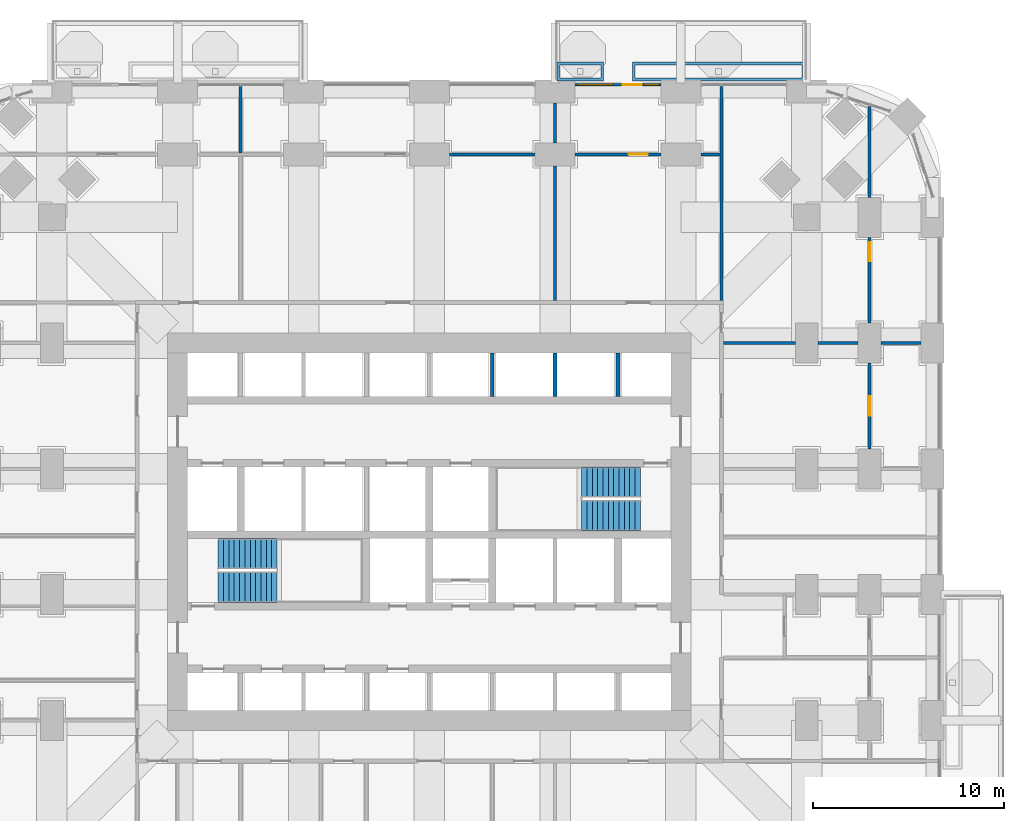
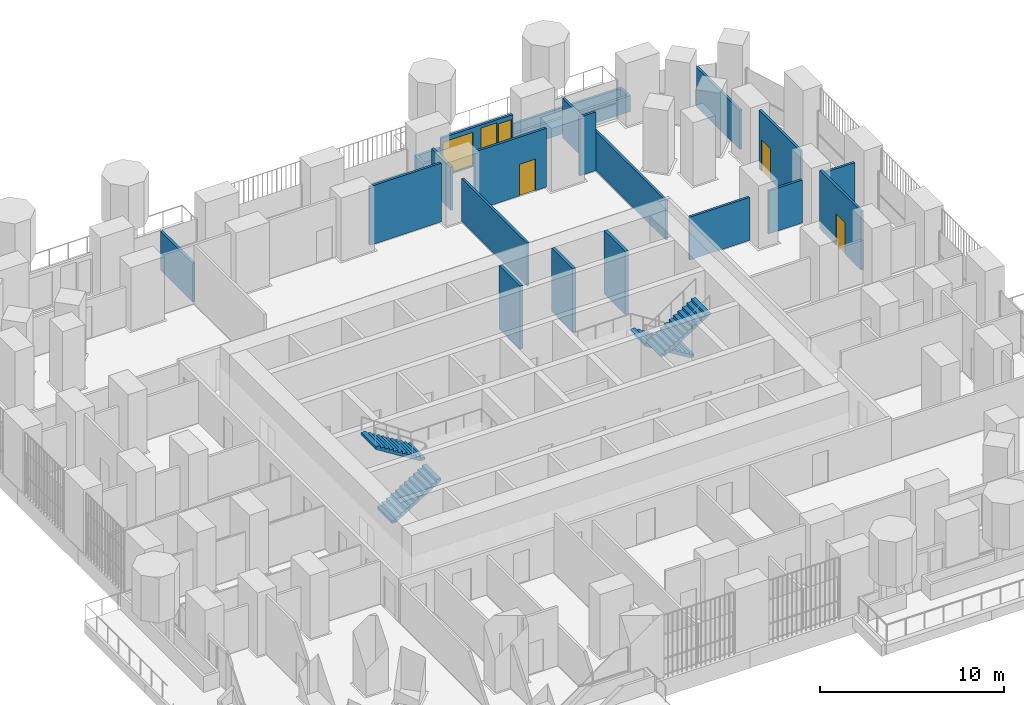
# One storey, part 22 of 27: 19 walls, 4 doors, 4 stair flights, 2 windows, 6 openings, 2 elements without a shape of their own.
"""IFC4 building model written with IfcOpenShell, lengths in metres."""

from ifc_helpers import new_model, si_unit, direction, frame, frame_2d, origin, place, context, subcontext, project, spatial, polyline, rectangle, outline, extrude, material, layer, layer_set, type_object, element, fill, aggregate, save


model = new_model("IFC4")

# Units and contexts
model_context = context("Model", 3, precision=1e-05, world=origin(), true_north=direction((0.0, 1.0)))
body_context = subcontext(model_context, "Body", "Model", "MODEL_VIEW")
ifc_project = project(units=[si_unit("LENGTHUNIT", "METRE"), si_unit("AREAUNIT", "SQUARE_METRE"), si_unit("VOLUMEUNIT", "CUBIC_METRE"), si_unit("PLANEANGLEUNIT", "RADIAN"), si_unit("MASSUNIT", "GRAM", prefix="KILO")], contexts=[model_context])

# Site, building, storey
site_placement = place(None, origin())
site = spatial("IfcSite", under=ifc_project, at=site_placement, CompositionType="ELEMENT")
building_placement = place(site_placement, origin())
building = spatial("IfcBuilding", under=site, at=building_placement, Name="Cobogo Forest Laboratory Tower", CompositionType="ELEMENT")
storey_placement = place(building_placement, frame((0.0, 0.0, 63.300048828125)))
storey = spatial("IfcBuildingStorey", under=building, at=storey_placement, Name="L14", CompositionType="ELEMENT", Elevation=63.300048828125)

# Wall, openings, door, windows
ifc_material_1 = material(Name="Aluminium framed glazed screen", Category="aluminium")
ifc_layer_1 = layer(ifc_material_1, 0.14990234375)
ifc_layer_set_1 = layer_set([ifc_layer_1], Name="GS1 glazed door screen 150")
wall_type_1 = type_object("IfcWallType", Name="GS1 glazed door screen 150", PredefinedType="SOLIDWALL", material=ifc_layer_set_1)
wall_1_placement = place(storey_placement, frame((38.550048828125, 46.550048828125, 0.0), z_axis=(0.0, 0.0, 1.0), x_axis=(-1.0, 0.0, 0.0)))
wall_1 = element("IfcWall", 1, at=wall_1_placement, inside=storey, type_object=wall_type_1, Name="Door screen BAL-N2 L14", PredefinedType="SOLIDWALL", context=body_context, shape_type="SweptSolid", body=[
    extrude(rectangle(XDim=4.5, YDim=0.14990234375, at=frame_2d((2.25, 0.0))), origin(), (0.0, 0.0, 1.0), 2.599853515625),
])
opening_1_placement = place(wall_1_placement, frame((1.0, 0.0, 0.0)))
opening_1 = element("IfcOpeningElement", 2, at=opening_1_placement, cuts=wall_1, Name="Opening L14-D51", PredefinedType="OPENING", context=body_context, shape_type="SweptSolid", body=[
    extrude(rectangle(XDim=1.0, YDim=2.39990234375, at=frame_2d((0.5, 1.199951171875))), frame((0.0, 0.0849609375, 0.0), z_axis=(0.0, -1.0, 0.0), x_axis=(1.0, 0.0, 0.0)), (0.0, 0.0, 1.0), 0.169921875),
])
opening_2_placement = place(wall_1_placement, frame((0.10009765625, 0.0, 0.10009765625)))
opening_2 = element("IfcOpeningElement", 3, at=opening_2_placement, cuts=wall_1, Name="Opening L14-W12", PredefinedType="OPENING", context=body_context, shape_type="SweptSolid", body=[
    extrude(rectangle(XDim=0.800048828125, YDim=2.199951171875, at=frame_2d((0.39990234375, 1.10009765625))), frame((0.0, 0.0849609375, 0.0), z_axis=(0.0, -1.0, 0.0), x_axis=(1.0, 0.0, 0.0)), (0.0, 0.0, 1.0), 0.169921875),
])
opening_3_placement = place(wall_1_placement, frame((2.5, 0.0, 0.10009765625)))
opening_3 = element("IfcOpeningElement", 4, at=opening_3_placement, cuts=wall_1, Name="Opening L14-W11", PredefinedType="OPENING", context=body_context, shape_type="SweptSolid", body=[
    extrude(rectangle(XDim=1.89990234375, YDim=2.199951171875, at=frame_2d((0.949951171875, 1.10009765625))), frame((0.0, 0.0849609375, 0.0), z_axis=(0.0, -1.0, 0.0), x_axis=(1.0, 0.0, 0.0)), (0.0, 0.0, 1.0), 0.169921875),
])
ifc_material_2 = material(Name="Aluminium glazed door", Category="aluminium")
door_type_1 = type_object("IfcDoorType", Name="DB1 balcony door 1000 glazed", OperationType="SINGLE_SWING_LEFT", PredefinedType="DOOR", material=ifc_material_2)
door_1_placement = place(opening_1_placement, origin())
door_1 = element("IfcDoor", 5, at=door_1_placement, inside=storey, type_object=door_type_1, Name="Door L14-BAL-N2", OperationType="SINGLE_SWING_LEFT", OverallHeight=2.39990234375, OverallWidth=1.0, PredefinedType="DOOR", context=body_context, shape_type="SweptSolid", body=[
    extrude(rectangle(XDim=1.0, YDim=2.39990234375, at=frame_2d((0.5, 1.199951171875))), frame((0.0, 0.02490234375, 0.0), z_axis=(0.0, -1.0, 0.0), x_axis=(1.0, 0.0, 0.0)), (0.0, 0.0, 1.0), 0.050048828125),
])
fill(opening_1, door_1)
ifc_material_3 = material(Name="Aluminium framed glazing", Category="aluminium")
window_type_1 = type_object("IfcWindowType", Name="WG5 fixed glazed light 1900x2200", PartitioningType="SINGLE_PANEL", PredefinedType="WINDOW", material=ifc_material_3)
window_1_placement = place(opening_3_placement, origin())
window_1 = element("IfcWindow", 6, at=window_1_placement, inside=storey, type_object=window_type_1, Name="Window L14-BAL-N2-2", OverallHeight=2.199951171875, OverallWidth=1.89990234375, PartitioningType="SINGLE_PANEL", PredefinedType="WINDOW", context=body_context, shape_type="SweptSolid", body=[
    extrude(rectangle(XDim=1.89990234375, YDim=2.199951171875, at=frame_2d((0.949951171875, 1.10009765625))), frame((0.0, 0.030029296875, 0.0), z_axis=(0.0, -1.0, 0.0), x_axis=(1.0, 0.0, 0.0)), (0.0, 0.0, 1.0), 0.06005859375),
])
fill(opening_3, window_1)
window_type_2 = type_object("IfcWindowType", Name="WG6 fixed glazed light 800x2200", PartitioningType="SINGLE_PANEL", PredefinedType="WINDOW", material=ifc_material_3)
window_2_placement = place(opening_2_placement, origin())
window_2 = element("IfcWindow", 7, at=window_2_placement, inside=storey, type_object=window_type_2, Name="Window L14-BAL-N2-1", OverallHeight=2.199951171875, OverallWidth=0.800048828125, PartitioningType="SINGLE_PANEL", PredefinedType="WINDOW", context=body_context, shape_type="SweptSolid", body=[
    extrude(rectangle(XDim=0.800048828125, YDim=2.199951171875, at=frame_2d((0.39990234375, 1.10009765625))), frame((0.0, 0.030029296875, 0.0), z_axis=(0.0, -1.0, 0.0), x_axis=(1.0, 0.0, 0.0)), (0.0, 0.0, 1.0), 0.06005859375),
])
fill(opening_2, window_2)

# Wall
ifc_material_4 = material(Name="Gypsum board on steel studs", Category="steel")
ifc_layer_2 = layer(ifc_material_4, 0.14990234375)
ifc_layer_set_2 = layer_set([ifc_layer_2], Name="PT1 laboratory partition 150")
wall_type_2 = type_object("IfcWallType", Name="PT1 laboratory partition 150", PredefinedType="PARTITIONING", material=ifc_layer_set_2)
wall_2_placement = place(storey_placement, frame((41.72509765625, 46.469970703125, 0.0), z_axis=(0.0, 0.0, 1.0), x_axis=(0.0, -1.0, 0.0)))
element("IfcWall", 8, at=wall_2_placement, inside=storey, type_object=wall_type_2, Name="Partition PW-NE L14", PredefinedType="PARTITIONING", context=body_context, shape_type="SweptSolid", body=[
    extrude(rectangle(XDim=11.244873046875, YDim=0.14990234375, at=frame_2d((5.62255859375, 0.0))), origin(), (0.0, 0.0, 1.0), 2.599853515625),
])

# Wall, opening, door
wall_3_placement = place(storey_placement, frame((49.5, 27.449951171875, 0.0), z_axis=(0.0, 0.0, 1.0), x_axis=(0.0, 1.0, 0.0)))
wall_3 = element("IfcWall", 9, at=wall_3_placement, inside=storey, type_object=wall_type_2, Name="Partition STRIP-E-3 L14", PredefinedType="PARTITIONING", context=body_context, shape_type="SweptSolid", body=[
    extrude(rectangle(XDim=4.5, YDim=0.14990234375, at=frame_2d((2.25, 0.0))), origin(), (0.0, 0.0, 1.0), 3.89990234375),
])
opening_4_placement = place(wall_3_placement, frame((1.75, 0.0, 0.0)))
opening_4 = element("IfcOpeningElement", 10, at=opening_4_placement, cuts=wall_3, Name="Opening L14-D40", PredefinedType="OPENING", context=body_context, shape_type="SweptSolid", body=[
    extrude(rectangle(XDim=1.0, YDim=2.10009765625, at=frame_2d((0.5, 1.050048828125))), frame((0.0, 0.0849609375, 0.0), z_axis=(0.0, -1.0, 0.0), x_axis=(1.0, 0.0, 0.0)), (0.0, 0.0, 1.0), 0.169921875),
])
ifc_material_5 = material(Name="Timber fire door", Category="wood")
door_type_2 = type_object("IfcDoorType", Name="FD2 fire door 1000 EI2 30", OperationType="SINGLE_SWING_LEFT", PredefinedType="DOOR", material=ifc_material_5)
door_2_placement = place(opening_4_placement, origin())
door_2 = element("IfcDoor", 11, at=door_2_placement, inside=storey, type_object=door_type_2, Name="Door L14-E3W", OperationType="SINGLE_SWING_RIGHT", OverallHeight=2.10009765625, OverallWidth=1.0, PredefinedType="DOOR", context=body_context, shape_type="SweptSolid", body=[
    extrude(rectangle(XDim=1.0, YDim=2.10009765625, at=frame_2d((0.5, 1.050048828125))), frame((0.0, 0.02490234375, 0.0), z_axis=(0.0, -1.0, 0.0), x_axis=(1.0, 0.0, 0.0)), (0.0, 0.0, 1.0), 0.050048828125),
])
fill(opening_4, door_2)

wall_4_placement = place(storey_placement, frame((49.5, 34.050048828125, 0.0), z_axis=(0.0, 0.0, 1.0), x_axis=(0.0, 1.0, 0.0)))
wall_4 = element("IfcWall", 12, at=wall_4_placement, inside=storey, type_object=wall_type_2, Name="Partition STRIP-E-4 L14", PredefinedType="PARTITIONING", context=body_context, shape_type="SweptSolid", body=[
    extrude(rectangle(XDim=4.5, YDim=0.14990234375, at=frame_2d((2.25, 0.0))), origin(), (0.0, 0.0, 1.0), 3.89990234375),
])
opening_5_placement = place(wall_4_placement, frame((3.25, 0.0, 0.0)))
opening_5 = element("IfcOpeningElement", 13, at=opening_5_placement, cuts=wall_4, Name="Opening L14-D46", PredefinedType="OPENING", context=body_context, shape_type="SweptSolid", body=[
    extrude(rectangle(XDim=1.0, YDim=2.10009765625, at=frame_2d((0.5, 1.050048828125))), frame((0.0, 0.0849609375, 0.0), z_axis=(0.0, -1.0, 0.0), x_axis=(1.0, 0.0, 0.0)), (0.0, 0.0, 1.0), 0.169921875),
])
door_3_placement = place(opening_5_placement, origin())
door_3 = element("IfcDoor", 14, at=door_3_placement, inside=storey, type_object=door_type_2, Name="Door L14-E4W", OperationType="SINGLE_SWING_RIGHT", OverallHeight=2.10009765625, OverallWidth=1.0, PredefinedType="DOOR", context=body_context, shape_type="SweptSolid", body=[
    extrude(rectangle(XDim=1.0, YDim=2.10009765625, at=frame_2d((0.5, 1.050048828125))), frame((0.0, 0.02490234375, 0.0), z_axis=(0.0, -1.0, 0.0), x_axis=(1.0, 0.0, 0.0)), (0.0, 0.0, 1.0), 0.050048828125),
])
fill(opening_5, door_3)

# Walls
wall_5_placement = place(storey_placement, frame((49.5, 40.64990234375, 0.0), z_axis=(0.0, 0.0, 1.0), x_axis=(0.0, 1.0, 0.0)))
element("IfcWall", 15, at=wall_5_placement, inside=storey, type_object=wall_type_2, Name="Partition STRIP-E-5 L14", PredefinedType="PARTITIONING", context=body_context, shape_type="SweptSolid", body=[
    extrude(rectangle(XDim=4.774169921875, YDim=0.14990234375, at=frame_2d((2.38720703125, 0.0))), origin(), (0.0, 0.0, 1.0), 2.599853515625),
])
for number, where, z_axis, x_axis, name in (
    (16, (52.199951171875, 33.0, 0.0), (0.0, 0.0, 1.0), (-1.0, 0.0, 0.0), "Partition CUT-E33-1 L14"),
    (17, (48.89990234375, 33.0, 0.0), (0.0, 0.0, 1.0), (-1.0, 0.0, 0.0), "Partition CUT-E33-2 L14"),
):
    element("IfcWall", number, at=place(storey_placement, frame(where, z_axis=z_axis, x_axis=x_axis)), inside=storey, type_object=wall_type_2, Name=name, PredefinedType="PARTITIONING", context=body_context, shape_type="SweptSolid", body=[
        extrude(rectangle(XDim=2.099853515625, YDim=0.14990234375, at=frame_2d((1.0498046875, 0.0))), origin(), (0.0, 0.0, 1.0), 2.849853515625),
    ])
wall_6_placement = place(storey_placement, frame((45.60009765625, 33.0, 0.0), z_axis=(0.0, 0.0, 1.0), x_axis=(-1.0, 0.0, 0.0)))
element("IfcWall", 18, at=wall_6_placement, inside=storey, type_object=wall_type_2, Name="Partition CUT-E33-3 L14", PredefinedType="PARTITIONING", context=body_context, shape_type="SweptSolid", body=[
    extrude(rectangle(XDim=3.775146484375, YDim=0.14990234375, at=frame_2d((1.8876953125, 0.0))), origin(), (0.0, 0.0, 1.0), 2.849853515625),
])
wall_7_placement = place(storey_placement, frame((41.64990234375, 42.89990234375, 0.0), z_axis=(0.0, 0.0, 1.0), x_axis=(-1.0, 0.0, 0.0)))
element("IfcWall", 19, at=wall_7_placement, inside=storey, type_object=wall_type_2, Name="Partition STRIP-N-1 L14", PredefinedType="PARTITIONING", context=body_context, shape_type="SweptSolid", body=[
    extrude(rectangle(XDim=1.0, YDim=0.14990234375, at=frame_2d((0.5, 0.0))), origin(), (0.0, 0.0, 1.0), 3.89990234375),
])

# Wall, opening, door
wall_8_placement = place(storey_placement, frame((38.550048828125, 42.89990234375, 0.0), z_axis=(0.0, 0.0, 1.0), x_axis=(-1.0, 0.0, 0.0)))
wall_8 = element("IfcWall", 20, at=wall_8_placement, inside=storey, type_object=wall_type_2, Name="Partition STRIP-N-2 L14", PredefinedType="PARTITIONING", context=body_context, shape_type="SweptSolid", body=[
    extrude(rectangle(XDim=4.5, YDim=0.14990234375, at=frame_2d((2.25, 0.0))), origin(), (0.0, 0.0, 1.0), 3.89990234375),
])
opening_6_placement = place(wall_8_placement, frame((0.6875, 0.0, 0.0)))
opening_6 = element("IfcOpeningElement", 21, at=opening_6_placement, cuts=wall_8, Name="Opening L14-D49", PredefinedType="OPENING", context=body_context, shape_type="SweptSolid", body=[
    extrude(rectangle(XDim=1.0, YDim=2.10009765625, at=frame_2d((0.5, 1.050048828125))), frame((0.0, 0.0849609375, 0.0), z_axis=(0.0, -1.0, 0.0), x_axis=(1.0, 0.0, 0.0)), (0.0, 0.0, 1.0), 0.169921875),
])
door_4_placement = place(opening_6_placement, origin())
door_4 = element("IfcDoor", 22, at=door_4_placement, inside=storey, type_object=door_type_2, Name="Door L14-N3W", OperationType="SINGLE_SWING_LEFT", OverallHeight=2.10009765625, OverallWidth=1.0, PredefinedType="DOOR", context=body_context, shape_type="SweptSolid", body=[
    extrude(rectangle(XDim=1.0, YDim=2.10009765625, at=frame_2d((0.5, 1.050048828125))), frame((0.0, 0.02490234375, 0.0), z_axis=(0.0, -1.0, 0.0), x_axis=(1.0, 0.0, 0.0)), (0.0, 0.0, 1.0), 0.050048828125),
])
fill(opening_6, door_4)

# Walls
wall_9_placement = place(storey_placement, frame((31.949951171875, 42.89990234375, 0.0), z_axis=(0.0, 0.0, 1.0), x_axis=(-1.0, 0.0, 0.0)))
element("IfcWall", 23, at=wall_9_placement, inside=storey, type_object=wall_type_2, Name="Partition STRIP-N-3 L14", PredefinedType="PARTITIONING", context=body_context, shape_type="SweptSolid", body=[
    extrude(rectangle(XDim=4.5, YDim=0.14990234375, at=frame_2d((2.25, 0.0))), origin(), (0.0, 0.0, 1.0), 3.89990234375),
])
wall_10_placement = place(storey_placement, frame((16.5, 46.469970703125, 0.0), z_axis=(0.0, 0.0, 1.0), x_axis=(0.0, -1.0, 0.0)))
element("IfcWall", 24, at=wall_10_placement, inside=storey, type_object=wall_type_2, Name="Partition CUT-N16.5a-1 L14", PredefinedType="PARTITIONING", context=body_context, shape_type="SweptSolid", body=[
    extrude(rectangle(XDim=3.494873046875, YDim=0.14990234375, at=frame_2d((1.74755859375, 0.0))), origin(), (0.0, 0.0, 1.0), 2.599853515625),
])
wall_11_placement = place(storey_placement, frame((33.0, 45.60009765625, 0.0), z_axis=(0.0, 0.0, 1.0), x_axis=(0.0, -1.0, 0.0)))
element("IfcWall", 25, at=wall_11_placement, inside=storey, type_object=wall_type_2, Name="Partition CUT-N33a-1 L14", PredefinedType="PARTITIONING", context=body_context, shape_type="SweptSolid", body=[
    extrude(rectangle(XDim=2.10009765625, YDim=0.14990234375, at=frame_2d((1.050048828125, 0.0))), origin(), (0.0, 0.0, 1.0), 2.849853515625),
])
wall_12_placement = place(storey_placement, frame((33.0, 42.300048828125, 0.0), z_axis=(0.0, 0.0, 1.0), x_axis=(0.0, -1.0, 0.0)))
element("IfcWall", 26, at=wall_12_placement, inside=storey, type_object=wall_type_2, Name="Partition CUT-N33b-1 L14", PredefinedType="PARTITIONING", context=body_context, shape_type="SweptSolid", body=[
    extrude(rectangle(XDim=7.074951171875, YDim=0.14990234375, at=frame_2d((3.53759765625, 0.0))), origin(), (0.0, 0.0, 1.0), 2.849853515625),
])
ifc_material_6 = material(Name="Concrete HA-40 (C40/50)", Category="concrete")
ifc_layer_3 = layer(ifc_material_6, 0.14990234375)
ifc_layer_set_3 = layer_set([ifc_layer_3], Name="Planter box 1000x1050")
wall_type_3 = type_object("IfcWallType", Name="Planter box 1000x1050", PredefinedType="USERDEFINED", material=ifc_layer_set_3)
wall_13_placement = place(storey_placement, origin())
element("IfcWall", 27, at=wall_13_placement, inside=storey, type_object=wall_type_3, Name="Planter BAL-N2-1 L14", ObjectType="PLANTER", PredefinedType="USERDEFINED", context=body_context, shape_type="SweptSolid", body=[
    extrude(outline(polyline([(33.10009765625, 46.75), (35.550048828125, 46.75), (35.550048828125, 47.75), (33.10009765625, 47.75), (33.10009765625, 46.75)]), holes=[polyline([(33.25, 46.89990234375), (35.39990234375, 46.89990234375), (35.39990234375, 47.60009765625), (33.25, 47.60009765625), (33.25, 46.89990234375)])]), origin(), (0.0, 0.0, 1.0), 1.050048828125),
])
wall_14_placement = place(storey_placement, origin())
element("IfcWall", 28, at=wall_14_placement, inside=storey, type_object=wall_type_3, Name="Planter BAL-N2-2 L14", ObjectType="PLANTER", PredefinedType="USERDEFINED", context=body_context, shape_type="SweptSolid", body=[
    extrude(outline(polyline([(37.050048828125, 46.75), (46.10009765625, 46.75), (46.10009765625, 47.75), (37.050048828125, 47.75), (37.050048828125, 46.75)]), holes=[polyline([(37.199951171875, 46.89990234375), (45.949951171875, 46.89990234375), (45.949951171875, 47.60009765625), (37.199951171875, 47.60009765625), (37.199951171875, 46.89990234375)])]), origin(), (0.0, 0.0, 1.0), 1.050048828125),
])
ifc_material_7 = material(Name="Concrete block", Category="concrete")
ifc_layer_4 = layer(ifc_material_7, 0.199951171875)
ifc_layer_set_4 = layer_set([ifc_layer_4], Name="SW200 lift shaft separator 200")
wall_type_4 = type_object("IfcWallType", Name="SW200 lift shaft separator 200", PredefinedType="PARTITIONING", material=ifc_layer_set_4)
for number, where, z_axis, x_axis, name in (
    (29, (29.699951171875, 30.199951171875, 0.0), (0.0, 0.0, 1.0), (0.0, 1.0, 0.0), "Core wall SEP-N5 L14"),
    (30, (33.0, 30.199951171875, 0.0), (0.0, 0.0, 1.0), (0.0, 1.0, 0.0), "Core wall SEP-N6 L14"),
    (31, (36.300048828125, 30.199951171875, 0.0), (0.0, 0.0, 1.0), (0.0, 1.0, 0.0), "Core wall SEP-N7 L14"),
):
    element("IfcWall", number, at=place(storey_placement, frame(where, z_axis=z_axis, x_axis=x_axis)), inside=storey, type_object=wall_type_4, Name=name, PredefinedType="PARTITIONING", context=body_context, shape_type="SweptSolid", body=[
        extrude(rectangle(XDim=2.275146484375, YDim=0.199951171875, at=frame_2d((1.1376953125, 0.0))), origin(), (0.0, 0.0, 1.0), 4.199951171875),
    ])

# Stair, stair flights
ifc_material_8 = material(Name="Precast concrete HA-40 (C40/50)", Category="concrete")
stair_type = type_object("IfcStairType", Name="ST24 exit stair 24 risers", PredefinedType="HALF_TURN_STAIR", material=ifc_material_8)
stair_1_placement = place(storey_placement, origin())
stair_1 = element("IfcStair", 32, at=stair_1_placement, inside=storey, type_object=stair_type, Name="Stair 1 L14 to L15", PredefinedType="HALF_TURN_STAIR")
stair_flight_type = type_object("IfcStairFlightType", Name="ST stair flight 280 going", PredefinedType="STRAIGHT", material=ifc_material_8)
stair_flight_1_placement = place(storey_placement, frame((15.324951171875, 20.199951171875, 0.0), z_axis=(0.0, 0.0, 1.0), x_axis=(1.0, 0.0, 0.0)))
stair_flight_1 = element("IfcStairFlight", 33, at=stair_flight_1_placement, type_object=stair_flight_type, Name="ST1 flight 1", NumberOfRisers=12, NumberOfTreads=11, PredefinedType="STRAIGHT", RiserHeight=0.175, TreadLength=0.28, context=body_context, shape_type="SweptSolid", body=[
    extrude(outline(polyline([(0.0, 0.0), (0.0, 0.175048828125), (0.280029296875, 0.175048828125), (0.280029296875, 0.35009765625), (0.56005859375, 0.35009765625), (0.56005859375, 0.52490234375), (0.840087890625, 0.52490234375), (0.840087890625, 0.699951171875), (1.1201171875, 0.699951171875), (1.1201171875, 0.875), (1.39990234375, 0.875), (1.39990234375, 1.050048828125), (1.679931640625, 1.050048828125), (1.679931640625, 1.22509765625), (1.9599609375, 1.22509765625), (1.9599609375, 1.39990234375), (2.239990234375, 1.39990234375), (2.239990234375, 1.574951171875), (2.52001953125, 1.574951171875), (2.52001953125, 1.75), (2.800048828125, 1.75), (2.800048828125, 1.925048828125), (3.080078125, 1.925048828125), (3.080078125, 2.10009765625), (3.080078125, 1.748291015625), (0.28271484375, 0.0), (0.0, 0.0)])), frame((0.0, 0.800048828125, 0.0), z_axis=(0.0, -1.0, 0.0), x_axis=(1.0, 0.0, 0.0)), (0.0, 0.0, 1.0), 1.60009765625),
])
stair_flight_2_placement = place(storey_placement, frame((18.405029296875, 21.949951171875, 2.099853515625), z_axis=(0.0, 0.0, 1.0), x_axis=(-1.0, 0.0, 0.0)))
stair_flight_2 = element("IfcStairFlight", 34, at=stair_flight_2_placement, type_object=stair_flight_type, Name="ST1 flight 2", NumberOfRisers=12, NumberOfTreads=11, PredefinedType="STRAIGHT", RiserHeight=0.175, TreadLength=0.28, context=body_context, shape_type="SweptSolid", body=[
    extrude(outline(polyline([(0.0, 0.0), (0.0, 0.175048828125), (0.280029296875, 0.175048828125), (0.280029296875, 0.35009765625), (0.56005859375, 0.35009765625), (0.56005859375, 0.52490234375), (0.840087890625, 0.52490234375), (0.840087890625, 0.699951171875), (1.1201171875, 0.699951171875), (1.1201171875, 0.875), (1.39990234375, 0.875), (1.39990234375, 1.050048828125), (1.679931640625, 1.050048828125), (1.679931640625, 1.22509765625), (1.9599609375, 1.22509765625), (1.9599609375, 1.39990234375), (2.239990234375, 1.39990234375), (2.239990234375, 1.574951171875), (2.52001953125, 1.574951171875), (2.52001953125, 1.75), (2.800048828125, 1.75), (2.800048828125, 1.925048828125), (3.080078125, 1.925048828125), (3.080078125, 2.10009765625), (3.080078125, 1.748291015625), (0.28271484375, 0.0), (0.0, 0.0)])), frame((0.0, 0.800048828125, 0.0), z_axis=(0.0, -1.0, 0.0), x_axis=(1.0, 0.0, 0.0)), (0.0, 0.0, 1.0), 1.60009765625),
])
aggregate(stair_1, [stair_flight_1, stair_flight_2])

stair_2_placement = place(storey_placement, origin())
stair_2 = element("IfcStair", 35, at=stair_2_placement, inside=storey, type_object=stair_type, Name="Stair 2 L14 to L15", PredefinedType="HALF_TURN_STAIR")
stair_flight_3_placement = place(storey_placement, frame((37.47509765625, 25.699951171875, 0.0), z_axis=(0.0, 0.0, 1.0), x_axis=(-1.0, 0.0, 0.0)))
stair_flight_3 = element("IfcStairFlight", 36, at=stair_flight_3_placement, type_object=stair_flight_type, Name="ST2 flight 1", NumberOfRisers=12, NumberOfTreads=11, PredefinedType="STRAIGHT", RiserHeight=0.175, TreadLength=0.28, context=body_context, shape_type="SweptSolid", body=[
    extrude(outline(polyline([(0.0, 0.0), (0.0, 0.175048828125), (0.280029296875, 0.175048828125), (0.280029296875, 0.35009765625), (0.56005859375, 0.35009765625), (0.56005859375, 0.52490234375), (0.840087890625, 0.52490234375), (0.840087890625, 0.699951171875), (1.1201171875, 0.699951171875), (1.1201171875, 0.875), (1.39990234375, 0.875), (1.39990234375, 1.050048828125), (1.679931640625, 1.050048828125), (1.679931640625, 1.22509765625), (1.9599609375, 1.22509765625), (1.9599609375, 1.39990234375), (2.239990234375, 1.39990234375), (2.239990234375, 1.574951171875), (2.52001953125, 1.574951171875), (2.52001953125, 1.75), (2.800048828125, 1.75), (2.800048828125, 1.925048828125), (3.080078125, 1.925048828125), (3.080078125, 2.10009765625), (3.080078125, 1.748291015625), (0.28271484375, 0.0), (0.0, 0.0)])), frame((0.0, 0.800048828125, 0.0), z_axis=(0.0, -1.0, 0.0), x_axis=(1.0, 0.0, 0.0)), (0.0, 0.0, 1.0), 1.60009765625),
])
stair_flight_4_placement = place(storey_placement, frame((34.39501953125, 23.949951171875, 2.099853515625), z_axis=(0.0, 0.0, 1.0), x_axis=(1.0, 0.0, 0.0)))
stair_flight_4 = element("IfcStairFlight", 37, at=stair_flight_4_placement, type_object=stair_flight_type, Name="ST2 flight 2", NumberOfRisers=12, NumberOfTreads=11, PredefinedType="STRAIGHT", RiserHeight=0.175, TreadLength=0.28, context=body_context, shape_type="SweptSolid", body=[
    extrude(outline(polyline([(0.0, 0.0), (0.0, 0.175048828125), (0.280029296875, 0.175048828125), (0.280029296875, 0.35009765625), (0.56005859375, 0.35009765625), (0.56005859375, 0.52490234375), (0.840087890625, 0.52490234375), (0.840087890625, 0.699951171875), (1.1201171875, 0.699951171875), (1.1201171875, 0.875), (1.39990234375, 0.875), (1.39990234375, 1.050048828125), (1.679931640625, 1.050048828125), (1.679931640625, 1.22509765625), (1.9599609375, 1.22509765625), (1.9599609375, 1.39990234375), (2.239990234375, 1.39990234375), (2.239990234375, 1.574951171875), (2.52001953125, 1.574951171875), (2.52001953125, 1.75), (2.800048828125, 1.75), (2.800048828125, 1.925048828125), (3.080078125, 1.925048828125), (3.080078125, 2.10009765625), (3.080078125, 1.748291015625), (0.28271484375, 0.0), (0.0, 0.0)])), frame((0.0, 0.800048828125, 0.0), z_axis=(0.0, -1.0, 0.0), x_axis=(1.0, 0.0, 0.0)), (0.0, 0.0, 1.0), 1.60009765625),
])
aggregate(stair_2, [stair_flight_3, stair_flight_4])

save(model, "model.ifc")
